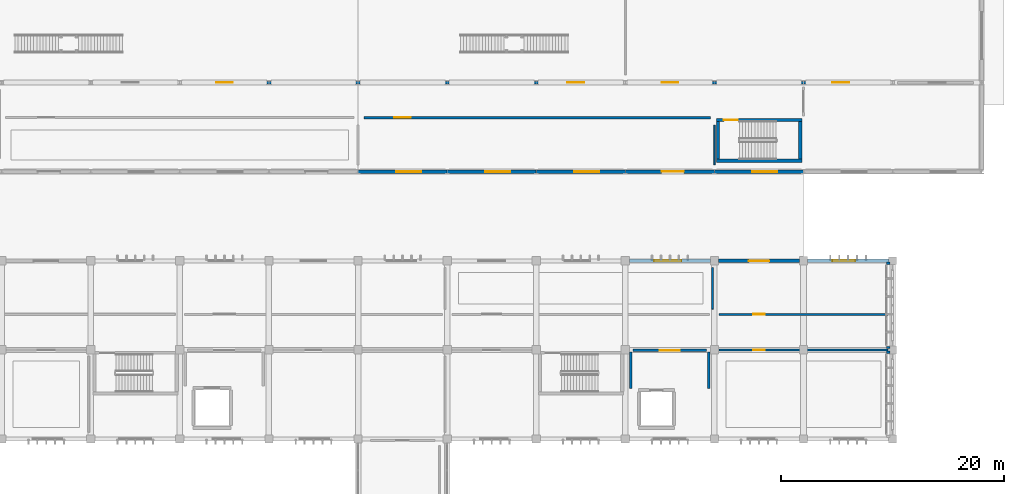
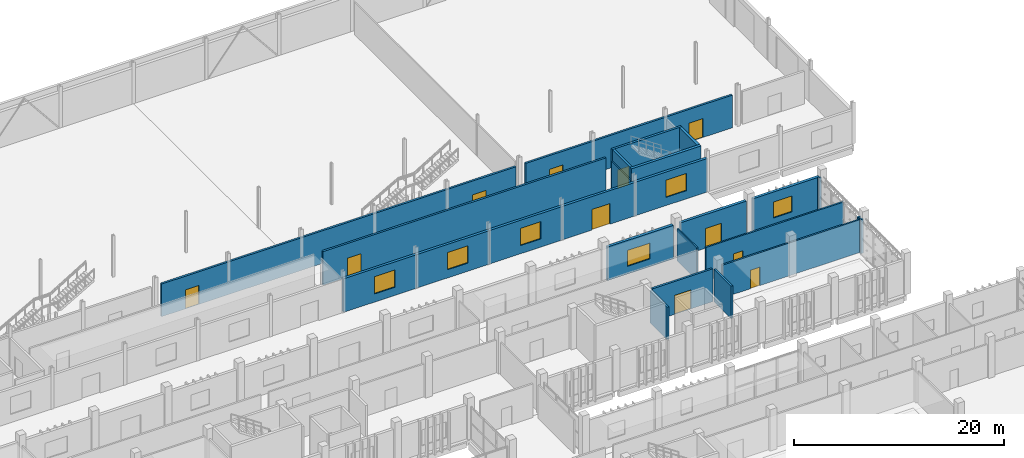
# One storey, part 97 of 117: 25 walls, 11 doors, 6 windows, 17 openings.
"""IFC4 building model written with IfcOpenShell, lengths in metres."""

from ifc_helpers import new_model, si_unit, direction, frame, frame_2d, origin, place, context, subcontext, project, spatial, rectangle, extrude, material, layer, layer_set, type_object, element, fill, save


model = new_model("IFC4")

# Units and contexts
model_context = context("Model", 3, precision=1e-05, world=origin(), true_north=direction((0.0, 1.0)))
body_context = subcontext(model_context, "Body", "Model", "MODEL_VIEW")
ifc_project = project(units=[si_unit("LENGTHUNIT", "METRE"), si_unit("AREAUNIT", "SQUARE_METRE"), si_unit("VOLUMEUNIT", "CUBIC_METRE"), si_unit("PLANEANGLEUNIT", "RADIAN"), si_unit("MASSUNIT", "GRAM", prefix="KILO")], contexts=[model_context])

# Site, building, storey
site_placement = place(None, origin())
site = spatial("IfcSite", under=ifc_project, at=site_placement, CompositionType="ELEMENT")
building_placement = place(site_placement, origin())
building = spatial("IfcBuilding", under=site, at=building_placement, Name="Jelvoka-Kovrelna Polytechnic", CompositionType="ELEMENT")
storey_placement = place(building_placement, origin())
storey = spatial("IfcBuildingStorey", under=building, at=storey_placement, Name="L01", CompositionType="ELEMENT", Elevation=0.0)

# Wall, opening, door
ifc_material_1 = material(Name="Concrete C35/45", Category="concrete")
ifc_layer_1 = layer(ifc_material_1, 0.219970703125)
ifc_layer_set_1 = layer_set([ifc_layer_1], Name="Concrete C35/45")
wall_type_1 = type_object("IfcWallType", Name="Wall_Compartment_220", PredefinedType="PARTITIONING", material=ifc_layer_set_1)
wall_1_placement = place(storey_placement, frame((168.699951171875, 63.949951171875, 0.0), z_axis=(0.0, 0.0, 1.0), x_axis=(1.0, 0.0, 0.0)))
wall_1 = element("IfcWall", 1, at=wall_1_placement, inside=storey, type_object=wall_type_1, Name="L01 interior wall 0339", PredefinedType="PARTITIONING", context=body_context, shape_type="SweptSolid", body=[
    extrude(rectangle(XDim=6.60009765625, YDim=0.219970703125, at=frame_2d((3.300048828125, 0.0))), origin(), (0.0, 0.0, 1.0), 3.81005859375),
])
opening_1_placement = place(wall_1_placement, frame((2.39990234375, 0.0, 0.0)))
opening_1 = element("IfcOpeningElement", 2, at=opening_1_placement, cuts=wall_1, Name="Opening FD-L01-074", PredefinedType="OPENING", context=body_context, shape_type="SweptSolid", body=[
    extrude(rectangle(XDim=1.800048828125, YDim=2.199951171875, at=frame_2d((0.89990234375, 1.10009765625))), frame((0.0, 0.119873046875, 0.0), z_axis=(0.0, -1.0, 0.0), x_axis=(1.0, 0.0, 0.0)), (0.0, 0.0, 1.0), 0.239990234375),
])
ifc_material_2 = material(Name="Paired steel corridor fire door", Category="steel")
door_type_1 = type_object("IfcDoorType", Name="Door_Fire_FD03", OperationType="NOTDEFINED", PredefinedType="DOOR", material=ifc_material_2)
door_1_placement = place(opening_1_placement, origin())
door_1 = element("IfcDoor", 3, at=door_1_placement, inside=storey, type_object=door_type_1, Name="L01 interior door FD-L01-074", OperationType="DOUBLE_DOOR_SINGLE_SWING", OverallHeight=2.199951171875, OverallWidth=1.800048828125, PredefinedType="DOOR", context=body_context, shape_type="SweptSolid", body=[
    extrude(rectangle(XDim=1.800048828125, YDim=2.199951171875, at=frame_2d((0.89990234375, 1.10009765625))), frame((0.0, 0.02490234375, 0.0), z_axis=(0.0, -1.0, 0.0), x_axis=(1.0, 0.0, 0.0)), (0.0, 0.0, 1.0), 0.050048828125),
])
fill(opening_1, door_1)

# Walls
for number, where, z_axis, x_axis, name in (
    (4, (168.5, 60.550048828125, 0.0), (0.0, 0.0, 1.0), (0.0, 1.0, 0.0), "L01 interior wall 0340"),
    (5, (175.5, 60.550048828125, 0.0), (0.0, 0.0, 1.0), (0.0, 1.0, 0.0), "L01 interior wall 0341"),
):
    element("IfcWall", number, at=place(storey_placement, frame(where, z_axis=z_axis, x_axis=x_axis)), inside=storey, type_object=wall_type_1, Name=name, PredefinedType="PARTITIONING", context=body_context, shape_type="SweptSolid", body=[
        extrude(rectangle(XDim=3.25, YDim=0.219970703125, at=frame_2d((1.625, 0.0))), origin(), (0.0, 0.0, 1.0), 3.760009765625),
    ])

# Wall, openings, doors
wall_2_placement = place(storey_placement, frame((128.64990234375, 88.0, 0.0), z_axis=(0.0, 0.0, 1.0), x_axis=(1.0, 0.0, 0.0)))
wall_2 = element("IfcWall", 6, at=wall_2_placement, inside=storey, type_object=wall_type_1, Name="L01 interior wall 0910", PredefinedType="PARTITIONING", context=body_context, shape_type="SweptSolid", body=[
    extrude(rectangle(XDim=38.900146484375, YDim=0.219970703125, at=frame_2d((19.4501953125, 0.0))), origin(), (0.0, 0.0, 1.0), 3.794921875),
])
opening_2_placement = place(wall_2_placement, frame((2.60009765625, 0.0, 0.0)))
opening_2 = element("IfcOpeningElement", 7, at=opening_2_placement, cuts=wall_2, Name="Opening D-L01-196", PredefinedType="OPENING", context=body_context, shape_type="SweptSolid", body=[
    extrude(rectangle(XDim=1.5, YDim=2.199951171875, at=frame_2d((0.75, 1.10009765625))), frame((0.0, 0.119873046875, 0.0), z_axis=(0.0, -1.0, 0.0), x_axis=(1.0, 0.0, 0.0)), (0.0, 0.0, 1.0), 0.239990234375),
])
opening_3_placement = place(wall_2_placement, frame((34.14990234375, 0.0, 0.0)))
opening_3 = element("IfcOpeningElement", 8, at=opening_3_placement, cuts=wall_2, Name="Opening D-L01-197", PredefinedType="OPENING", context=body_context, shape_type="SweptSolid", body=[
    extrude(rectangle(XDim=1.5, YDim=2.199951171875, at=frame_2d((0.75, 1.10009765625))), frame((0.0, 0.119873046875, 0.0), z_axis=(0.0, -1.0, 0.0), x_axis=(1.0, 0.0, 0.0)), (0.0, 0.0, 1.0), 0.239990234375),
])
ifc_material_3 = material(Name="Paired steel stair lobby fire door", Category="steel")
door_type_2 = type_object("IfcDoorType", Name="Door_Fire_FD04", OperationType="NOTDEFINED", PredefinedType="DOOR", material=ifc_material_3)
door_2_placement = place(opening_2_placement, origin())
door_2 = element("IfcDoor", 9, at=door_2_placement, inside=storey, type_object=door_type_2, Name="L01 interior door D-L01-196", OperationType="DOUBLE_DOOR_SINGLE_SWING", OverallHeight=2.199951171875, OverallWidth=1.5, PredefinedType="DOOR", context=body_context, shape_type="SweptSolid", body=[
    extrude(rectangle(XDim=1.5, YDim=2.199951171875, at=frame_2d((0.75, 1.10009765625))), frame((0.0, 0.02490234375, 0.0), z_axis=(0.0, -1.0, 0.0), x_axis=(1.0, 0.0, 0.0)), (0.0, 0.0, 1.0), 0.050048828125),
])
fill(opening_2, door_2)
door_3_placement = place(opening_3_placement, origin())
door_3 = element("IfcDoor", 10, at=door_3_placement, inside=storey, type_object=door_type_2, Name="L01 interior door D-L01-197", OperationType="DOUBLE_DOOR_SINGLE_SWING", OverallHeight=2.199951171875, OverallWidth=1.5, PredefinedType="DOOR", context=body_context, shape_type="SweptSolid", body=[
    extrude(rectangle(XDim=1.5, YDim=2.199951171875, at=frame_2d((0.75, 1.10009765625))), frame((0.0, 0.02490234375, 0.0), z_axis=(0.0, -1.0, 0.0), x_axis=(1.0, 0.0, 0.0)), (0.0, 0.0, 1.0), 0.050048828125),
])
fill(opening_3, door_3)

wall_3_placement = place(storey_placement, frame((168.64990234375, 88.0, 0.0), z_axis=(0.0, 0.0, 1.0), x_axis=(1.0, 0.0, 0.0)))
wall_3 = element("IfcWall", 11, at=wall_3_placement, inside=storey, type_object=wall_type_1, Name="L01 interior wall 0912", PredefinedType="PARTITIONING", context=body_context, shape_type="SweptSolid", body=[
    extrude(rectangle(XDim=22.7001953125, YDim=0.219970703125, at=frame_2d((11.35009765625, 0.0))), origin(), (0.0, 0.0, 1.0), 3.794921875),
])
opening_4_placement = place(wall_3_placement, frame((2.60009765625, 0.0, 0.0)))
opening_4 = element("IfcOpeningElement", 12, at=opening_4_placement, cuts=wall_3, Name="Opening D-L01-198", PredefinedType="OPENING", context=body_context, shape_type="SweptSolid", body=[
    extrude(rectangle(XDim=1.5, YDim=2.199951171875, at=frame_2d((0.75, 1.10009765625))), frame((0.0, 0.119873046875, 0.0), z_axis=(0.0, -1.0, 0.0), x_axis=(1.0, 0.0, 0.0)), (0.0, 0.0, 1.0), 0.239990234375),
])
opening_5_placement = place(wall_3_placement, frame((17.949951171875, 0.0, 0.0)))
opening_5 = element("IfcOpeningElement", 13, at=opening_5_placement, cuts=wall_3, Name="Opening D-L01-199", PredefinedType="OPENING", context=body_context, shape_type="SweptSolid", body=[
    extrude(rectangle(XDim=1.5, YDim=2.199951171875, at=frame_2d((0.75, 1.10009765625))), frame((0.0, 0.119873046875, 0.0), z_axis=(0.0, -1.0, 0.0), x_axis=(1.0, 0.0, 0.0)), (0.0, 0.0, 1.0), 0.239990234375),
])
door_4_placement = place(opening_4_placement, origin())
door_4 = element("IfcDoor", 14, at=door_4_placement, inside=storey, type_object=door_type_2, Name="L01 interior door D-L01-198", OperationType="DOUBLE_DOOR_SINGLE_SWING", OverallHeight=2.199951171875, OverallWidth=1.5, PredefinedType="DOOR", context=body_context, shape_type="SweptSolid", body=[
    extrude(rectangle(XDim=1.5, YDim=2.199951171875, at=frame_2d((0.75, 1.10009765625))), frame((0.0, 0.02490234375, 0.0), z_axis=(0.0, -1.0, 0.0), x_axis=(1.0, 0.0, 0.0)), (0.0, 0.0, 1.0), 0.050048828125),
])
fill(opening_4, door_4)
door_5_placement = place(opening_5_placement, origin())
door_5 = element("IfcDoor", 15, at=door_5_placement, inside=storey, type_object=door_type_2, Name="L01 interior door D-L01-199", OperationType="DOUBLE_DOOR_SINGLE_SWING", OverallHeight=2.199951171875, OverallWidth=1.5, PredefinedType="DOOR", context=body_context, shape_type="SweptSolid", body=[
    extrude(rectangle(XDim=1.5, YDim=2.199951171875, at=frame_2d((0.75, 1.10009765625))), frame((0.0, 0.02490234375, 0.0), z_axis=(0.0, -1.0, 0.0), x_axis=(1.0, 0.0, 0.0)), (0.0, 0.0, 1.0), 0.050048828125),
])
fill(opening_5, door_5)

# Wall, opening, door
wall_4_placement = place(storey_placement, frame((144.550048828125, 84.85009765625, 0.0), z_axis=(0.0, 0.0, 1.0), x_axis=(1.0, 0.0, 0.0)))
wall_4 = element("IfcWall", 16, at=wall_4_placement, inside=storey, type_object=wall_type_1, Name="L01 interior wall 0917", PredefinedType="PARTITIONING", context=body_context, shape_type="SweptSolid", body=[
    extrude(rectangle(XDim=31.099853515625, YDim=0.219970703125, at=frame_2d((15.5498046875, 0.0))), origin(), (0.0, 0.0, 1.0), 3.89990234375),
])
opening_6_placement = place(wall_4_placement, frame((2.699951171875, 0.0, 0.0)))
opening_6 = element("IfcOpeningElement", 17, at=opening_6_placement, cuts=wall_4, Name="Opening D-L01-202", PredefinedType="OPENING", context=body_context, shape_type="SweptSolid", body=[
    extrude(rectangle(XDim=1.5, YDim=2.199951171875, at=frame_2d((0.75, 1.10009765625))), frame((0.0, 0.119873046875, 0.0), z_axis=(0.0, -1.0, 0.0), x_axis=(1.0, 0.0, 0.0)), (0.0, 0.0, 1.0), 0.239990234375),
])
door_6_placement = place(opening_6_placement, origin())
door_6 = element("IfcDoor", 18, at=door_6_placement, inside=storey, type_object=door_type_2, Name="L01 interior door D-L01-202", OperationType="DOUBLE_DOOR_SINGLE_SWING", OverallHeight=2.199951171875, OverallWidth=1.5, PredefinedType="DOOR", context=body_context, shape_type="SweptSolid", body=[
    extrude(rectangle(XDim=1.5, YDim=2.199951171875, at=frame_2d((0.75, 1.10009765625))), frame((0.0, 0.02490234375, 0.0), z_axis=(0.0, -1.0, 0.0), x_axis=(1.0, 0.0, 0.0)), (0.0, 0.0, 1.0), 0.050048828125),
])
fill(opening_6, door_6)

ifc_material_4 = material(Name="Concrete C40/50", Category="concrete")
ifc_layer_2 = layer(ifc_material_4, 0.25)
ifc_layer_set_2 = layer_set([ifc_layer_2], Name="Concrete C40/50")
wall_type_2 = type_object("IfcWallType", Name="Wall_Core_250", PredefinedType="SOLIDWALL", material=ifc_layer_set_2)
wall_5_placement = place(storey_placement, frame((176.199951171875, 84.639892578125, 0.0), z_axis=(0.0, 0.0, 1.0), x_axis=(1.0, 0.0, 0.0)))
wall_5 = element("IfcWall", 19, at=wall_5_placement, inside=storey, type_object=wall_type_2, Name="L01 interior wall 0011", PredefinedType="SOLIDWALL", context=body_context, shape_type="SweptSolid", body=[
    extrude(rectangle(XDim=7.650146484375, YDim=0.25, at=frame_2d((3.8251953125, 0.0))), origin(), (0.0, 0.0, 1.0), 4.800048828125),
])
opening_7_placement = place(wall_5_placement, frame((0.64990234375, 0.0, 0.0)))
opening_7 = element("IfcOpeningElement", 20, at=opening_7_placement, cuts=wall_5, Name="Opening SD-L01-003", PredefinedType="OPENING", context=body_context, shape_type="SweptSolid", body=[
    extrude(rectangle(XDim=1.25, YDim=2.14990234375, at=frame_2d((0.625, 1.074951171875))), frame((0.0, 0.135009765625, 0.0), z_axis=(0.0, -1.0, 0.0), x_axis=(1.0, 0.0, 0.0)), (0.0, 0.0, 1.0), 0.27001953125),
])
ifc_material_5 = material(Name="Powder-coated steel fire door", Category="steel")
door_type_3 = type_object("IfcDoorType", Name="Door_Fire_FD02", OperationType="NOTDEFINED", PredefinedType="DOOR", material=ifc_material_5)
door_7_placement = place(opening_7_placement, origin())
door_7 = element("IfcDoor", 21, at=door_7_placement, inside=storey, type_object=door_type_3, Name="L01 interior door SD-L01-003", OperationType="SINGLE_SWING_LEFT", OverallHeight=2.14990234375, OverallWidth=1.25, PredefinedType="DOOR", context=body_context, shape_type="SweptSolid", body=[
    extrude(rectangle(XDim=1.25, YDim=2.14990234375, at=frame_2d((0.625, 1.074951171875))), frame((0.0, 0.02490234375, 0.0), z_axis=(0.0, -1.0, 0.0), x_axis=(1.0, 0.0, 0.0)), (0.0, 0.0, 1.0), 0.050048828125),
])
fill(opening_7, door_7)

# Wall
wall_6_placement = place(storey_placement, frame((176.324951171875, 81.14990234375, 0.0), z_axis=(0.0, 0.0, 1.0), x_axis=(0.0, 1.0, 0.0)))
element("IfcWall", 22, at=wall_6_placement, inside=storey, type_object=wall_type_2, Name="L01 interior wall 0012", PredefinedType="SOLIDWALL", context=body_context, shape_type="SweptSolid", body=[
    extrude(rectangle(XDim=3.360107421875, YDim=0.25, at=frame_2d((1.68017578125, 0.0))), origin(), (0.0, 0.0, 1.0), 4.800048828125),
])

# Wall, opening, door
ifc_material_6 = material(Name="Autoclaved aerated concrete blockwork", Category="masonry")
ifc_layer_3 = layer(ifc_material_6, 0.179931640625)
ifc_layer_set_3 = layer_set([ifc_layer_3], Name="Autoclaved aerated concrete blockwork")
wall_type_3 = type_object("IfcWallType", Name="Wall_Corridor_180", PredefinedType="PARTITIONING", material=ifc_layer_set_3)
wall_7_placement = place(storey_placement, frame((176.429931640625, 64.0, 0.0), z_axis=(0.0, 0.0, 1.0), x_axis=(1.0, 0.0, 0.0)))
wall_7 = element("IfcWall", 23, at=wall_7_placement, inside=storey, type_object=wall_type_3, Name="L01 interior wall 0891", PredefinedType="PARTITIONING", context=body_context, shape_type="SweptSolid", body=[
    extrude(rectangle(XDim=15.14013671875, YDim=0.179931640625, at=frame_2d((7.570068359375, 0.0))), origin(), (0.0, 0.0, 1.0), 3.81005859375),
])
opening_8_placement = place(wall_7_placement, frame((3.044921875, 0.0, 0.0)))
opening_8 = element("IfcOpeningElement", 24, at=opening_8_placement, cuts=wall_7, Name="Opening D-L01-183", PredefinedType="OPENING", context=body_context, shape_type="SweptSolid", body=[
    extrude(rectangle(XDim=1.050048828125, YDim=2.14990234375, at=frame_2d((0.52490234375, 1.074951171875))), frame((0.0, 0.099853515625, 0.0), z_axis=(0.0, -1.0, 0.0), x_axis=(1.0, 0.0, 0.0)), (0.0, 0.0, 1.0), 0.199951171875),
])
ifc_material_7 = material(Name="Hardwood fire-resisting laboratory door", Category="wood")
door_type_4 = type_object("IfcDoorType", Name="Door_Fire_FD30_02", OperationType="NOTDEFINED", PredefinedType="DOOR", material=ifc_material_7)
door_8_placement = place(opening_8_placement, origin())
door_8 = element("IfcDoor", 25, at=door_8_placement, inside=storey, type_object=door_type_4, Name="L01 interior door D-L01-183", OperationType="SINGLE_SWING_LEFT", OverallHeight=2.14990234375, OverallWidth=1.050048828125, PredefinedType="DOOR", context=body_context, shape_type="SweptSolid", body=[
    extrude(rectangle(XDim=1.050048828125, YDim=2.14990234375, at=frame_2d((0.52490234375, 1.074951171875))), frame((0.0, 0.02490234375, 0.0), z_axis=(0.0, -1.0, 0.0), x_axis=(1.0, 0.0, 0.0)), (0.0, 0.0, 1.0), 0.050048828125),
])
fill(opening_8, door_8)

wall_8_placement = place(storey_placement, frame((176.429931640625, 67.199951171875, 0.0), z_axis=(0.0, 0.0, 1.0), x_axis=(1.0, 0.0, 0.0)))
wall_8 = element("IfcWall", 26, at=wall_8_placement, inside=storey, type_object=wall_type_3, Name="L01 interior wall 0900", PredefinedType="PARTITIONING", context=body_context, shape_type="SweptSolid", body=[
    extrude(rectangle(XDim=15.14013671875, YDim=0.179931640625, at=frame_2d((7.570068359375, 0.0))), origin(), (0.0, 0.0, 1.0), 3.89990234375),
])
opening_9_placement = place(wall_8_placement, frame((3.06005859375, 0.0, 0.0)))
opening_9 = element("IfcOpeningElement", 27, at=opening_9_placement, cuts=wall_8, Name="Opening D-L01-189", PredefinedType="OPENING", context=body_context, shape_type="SweptSolid", body=[
    extrude(rectangle(XDim=1.02001953125, YDim=2.10009765625, at=frame_2d((0.510009765625, 1.050048828125))), frame((0.0, 0.099853515625, 0.0), z_axis=(0.0, -1.0, 0.0), x_axis=(1.0, 0.0, 0.0)), (0.0, 0.0, 1.0), 0.199951171875),
])
ifc_material_8 = material(Name="Hardwood solid-core door", Category="wood")
door_type_5 = type_object("IfcDoorType", Name="Door_Int_D04", OperationType="NOTDEFINED", PredefinedType="DOOR", material=ifc_material_8)
door_9_placement = place(opening_9_placement, origin())
door_9 = element("IfcDoor", 28, at=door_9_placement, inside=storey, type_object=door_type_5, Name="L01 interior door D-L01-189", OperationType="SINGLE_SWING_RIGHT", OverallHeight=2.10009765625, OverallWidth=1.02001953125, PredefinedType="DOOR", context=body_context, shape_type="SweptSolid", body=[
    extrude(rectangle(XDim=1.02001953125, YDim=2.10009765625, at=frame_2d((0.510009765625, 1.050048828125))), frame((0.0, 0.02490234375, 0.0), z_axis=(0.0, -1.0, 0.0), x_axis=(1.0, 0.0, 0.0)), (0.0, 0.0, 1.0), 0.050048828125),
])
fill(opening_9, door_9)

# Wall, opening, window
ifc_material_9 = material(Name="Precast concrete C40/50", Category="concrete")
ifc_layer_4 = layer(ifc_material_9, 0.280029296875)
ifc_layer_set_4 = layer_set([ifc_layer_4], Name="Precast concrete C40/50")
wall_type_4 = type_object("IfcWallType", Name="Wall_Ext_White_280", PredefinedType="STANDARD", material=ifc_layer_set_4)
wall_9_placement = place(storey_placement, frame((151.99609375, 80.0, 0.0), z_axis=(0.0, 0.0, 1.0), x_axis=(-1.0, 0.0, 0.0)))
wall_9 = element("IfcWall", 29, at=wall_9_placement, inside=storey, type_object=wall_type_4, Name="L01 exterior wall 0893", PredefinedType="STANDARD", context=body_context, shape_type="SweptSolid", body=[
    extrude(rectangle(XDim=7.9921875, YDim=0.280029296875, at=frame_2d((3.99609375, 0.0))), origin(), (0.0, 0.0, 1.0), 3.89501953125),
])
opening_10_placement = place(wall_9_placement, frame((2.3359375, 0.0, 0.949951171875)))
opening_10 = element("IfcOpeningElement", 30, at=opening_10_placement, cuts=wall_9, Name="Opening W-L01-509", PredefinedType="OPENING", context=body_context, shape_type="SweptSolid", body=[
    extrude(rectangle(XDim=2.25, YDim=2.0, at=frame_2d((1.125, 1.0))), frame((0.0, 0.150146484375, 0.0), z_axis=(0.0, -1.0, 0.0), x_axis=(1.0, 0.0, 0.0)), (0.0, 0.0, 1.0), 0.300048828125),
])
ifc_material_10 = material(Name="Thermally broken anodised aluminium and low-e glazing", Category="aluminium")
window_type_1 = type_object("IfcWindowType", Name="Win_Casement_W57", PartitioningType="DOUBLE_PANEL_VERTICAL", PredefinedType="WINDOW", material=ifc_material_10)
window_1_placement = place(opening_10_placement, origin())
window_1 = element("IfcWindow", 31, at=window_1_placement, inside=storey, type_object=window_type_1, Name="L01 aluminium casement window W-L01-509", OverallHeight=2.0, OverallWidth=2.25, PartitioningType="DOUBLE_PANEL_VERTICAL", PredefinedType="WINDOW", context=body_context, shape_type="SweptSolid", body=[
    extrude(rectangle(XDim=2.25, YDim=2.0, at=frame_2d((1.125, 1.0))), frame((0.0, 0.030029296875, 0.0), z_axis=(0.0, -1.0, 0.0), x_axis=(1.0, 0.0, 0.0)), (0.0, 0.0, 1.0), 0.06005859375),
])
fill(opening_10, window_1)

wall_10_placement = place(storey_placement, frame((159.99609375, 80.0, 0.0), z_axis=(0.0, 0.0, 1.0), x_axis=(-1.0, 0.0, 0.0)))
wall_10 = element("IfcWall", 32, at=wall_10_placement, inside=storey, type_object=wall_type_4, Name="L01 exterior wall 0894", PredefinedType="STANDARD", context=body_context, shape_type="SweptSolid", body=[
    extrude(rectangle(XDim=7.9921875, YDim=0.280029296875, at=frame_2d((3.99609375, 0.0))), origin(), (0.0, 0.0, 1.0), 3.89501953125),
])
opening_11_placement = place(wall_10_placement, frame((2.3359375, 0.0, 0.949951171875)))
opening_11 = element("IfcOpeningElement", 33, at=opening_11_placement, cuts=wall_10, Name="Opening W-L01-510", PredefinedType="OPENING", context=body_context, shape_type="SweptSolid", body=[
    extrude(rectangle(XDim=2.25, YDim=2.0, at=frame_2d((1.125, 1.0))), frame((0.0, 0.150146484375, 0.0), z_axis=(0.0, -1.0, 0.0), x_axis=(1.0, 0.0, 0.0)), (0.0, 0.0, 1.0), 0.300048828125),
])
window_2_placement = place(opening_11_placement, origin())
window_2 = element("IfcWindow", 34, at=window_2_placement, inside=storey, type_object=window_type_1, Name="L01 aluminium casement window W-L01-510", OverallHeight=2.0, OverallWidth=2.25, PartitioningType="DOUBLE_PANEL_VERTICAL", PredefinedType="WINDOW", context=body_context, shape_type="SweptSolid", body=[
    extrude(rectangle(XDim=2.25, YDim=2.0, at=frame_2d((1.125, 1.0))), frame((0.0, 0.030029296875, 0.0), z_axis=(0.0, -1.0, 0.0), x_axis=(1.0, 0.0, 0.0)), (0.0, 0.0, 1.0), 0.06005859375),
])
fill(opening_11, window_2)

wall_11_placement = place(storey_placement, frame((167.99609375, 80.0, 0.0), z_axis=(0.0, 0.0, 1.0), x_axis=(-1.0, 0.0, 0.0)))
wall_11 = element("IfcWall", 35, at=wall_11_placement, inside=storey, type_object=wall_type_4, Name="L01 exterior wall 0895", PredefinedType="STANDARD", context=body_context, shape_type="SweptSolid", body=[
    extrude(rectangle(XDim=7.9921875, YDim=0.280029296875, at=frame_2d((3.99609375, 0.0))), origin(), (0.0, 0.0, 1.0), 3.89501953125),
])
opening_12_placement = place(wall_11_placement, frame((2.3359375, 0.0, 0.949951171875)))
opening_12 = element("IfcOpeningElement", 36, at=opening_12_placement, cuts=wall_11, Name="Opening W-L01-511", PredefinedType="OPENING", context=body_context, shape_type="SweptSolid", body=[
    extrude(rectangle(XDim=2.25, YDim=2.0, at=frame_2d((1.125, 1.0))), frame((0.0, 0.150146484375, 0.0), z_axis=(0.0, -1.0, 0.0), x_axis=(1.0, 0.0, 0.0)), (0.0, 0.0, 1.0), 0.300048828125),
])
window_3_placement = place(opening_12_placement, origin())
window_3 = element("IfcWindow", 37, at=window_3_placement, inside=storey, type_object=window_type_1, Name="L01 aluminium casement window W-L01-511", OverallHeight=2.0, OverallWidth=2.25, PartitioningType="DOUBLE_PANEL_VERTICAL", PredefinedType="WINDOW", context=body_context, shape_type="SweptSolid", body=[
    extrude(rectangle(XDim=2.25, YDim=2.0, at=frame_2d((1.125, 1.0))), frame((0.0, 0.030029296875, 0.0), z_axis=(0.0, -1.0, 0.0), x_axis=(1.0, 0.0, 0.0)), (0.0, 0.0, 1.0), 0.06005859375),
])
fill(opening_12, window_3)

# Wall, opening, door
wall_12_placement = place(storey_placement, frame((175.99609375, 80.0, 0.0), z_axis=(0.0, 0.0, 1.0), x_axis=(-1.0, 0.0, 0.0)))
wall_12 = element("IfcWall", 38, at=wall_12_placement, inside=storey, type_object=wall_type_4, Name="L01 exterior wall 0896", PredefinedType="STANDARD", context=body_context, shape_type="SweptSolid", body=[
    extrude(rectangle(XDim=7.9921875, YDim=0.280029296875, at=frame_2d((3.99609375, 0.0))), origin(), (0.0, 0.0, 1.0), 3.89501953125),
])
opening_13_placement = place(wall_12_placement, frame((2.736083984375, 0.0, 0.0)))
opening_13 = element("IfcOpeningElement", 39, at=opening_13_placement, cuts=wall_12, Name="Opening E-L01-029", PredefinedType="OPENING", context=body_context, shape_type="SweptSolid", body=[
    extrude(rectangle(XDim=2.0, YDim=2.39990234375, at=frame_2d((1.0, 1.199951171875))), frame((0.0, 0.150146484375, 0.0), z_axis=(0.0, -1.0, 0.0), x_axis=(1.0, 0.0, 0.0)), (0.0, 0.0, 1.0), 0.300048828125),
])
ifc_material_11 = material(Name="Powder-coated aluminium and laminated safety glass", Category="aluminium")
door_type_6 = type_object("IfcDoorType", Name="Door_Ext_Exit_2000x2400", OperationType="NOTDEFINED", PredefinedType="DOOR", material=ifc_material_11)
door_10_placement = place(opening_13_placement, origin())
door_10 = element("IfcDoor", 40, at=door_10_placement, inside=storey, type_object=door_type_6, Name="L01 exterior door E-L01-029", OperationType="DOUBLE_DOOR_SINGLE_SWING", OverallHeight=2.39990234375, OverallWidth=2.0, PredefinedType="DOOR", context=body_context, shape_type="SweptSolid", body=[
    extrude(rectangle(XDim=2.0, YDim=2.39990234375, at=frame_2d((1.0, 1.199951171875))), frame((0.0, 0.02490234375, 0.0), z_axis=(0.0, -1.0, 0.0), x_axis=(1.0, 0.0, 0.0)), (0.0, 0.0, 1.0), 0.050048828125),
])
fill(opening_13, door_10)

# Wall, opening, window
wall_13_placement = place(storey_placement, frame((183.99609375, 80.0, 0.0), z_axis=(0.0, 0.0, 1.0), x_axis=(-1.0, 0.0, 0.0)))
wall_13 = element("IfcWall", 41, at=wall_13_placement, inside=storey, type_object=wall_type_4, Name="L01 exterior wall 0897", PredefinedType="STANDARD", context=body_context, shape_type="SweptSolid", body=[
    extrude(rectangle(XDim=7.9921875, YDim=0.280029296875, at=frame_2d((3.99609375, 0.0))), origin(), (0.0, 0.0, 1.0), 3.89501953125),
])
opening_14_placement = place(wall_13_placement, frame((2.3359375, 0.0, 0.949951171875)))
opening_14 = element("IfcOpeningElement", 42, at=opening_14_placement, cuts=wall_13, Name="Opening W-L01-512", PredefinedType="OPENING", context=body_context, shape_type="SweptSolid", body=[
    extrude(rectangle(XDim=2.25, YDim=2.0, at=frame_2d((1.125, 1.0))), frame((0.0, 0.150146484375, 0.0), z_axis=(0.0, -1.0, 0.0), x_axis=(1.0, 0.0, 0.0)), (0.0, 0.0, 1.0), 0.300048828125),
])
window_4_placement = place(opening_14_placement, origin())
window_4 = element("IfcWindow", 43, at=window_4_placement, inside=storey, type_object=window_type_1, Name="L01 aluminium casement window W-L01-512", OverallHeight=2.0, OverallWidth=2.25, PartitioningType="DOUBLE_PANEL_VERTICAL", PredefinedType="WINDOW", context=body_context, shape_type="SweptSolid", body=[
    extrude(rectangle(XDim=2.25, YDim=2.0, at=frame_2d((1.125, 1.0))), frame((0.0, 0.030029296875, 0.0), z_axis=(0.0, -1.0, 0.0), x_axis=(1.0, 0.0, 0.0)), (0.0, 0.0, 1.0), 0.06005859375),
])
fill(opening_14, window_4)

ifc_material_12 = material(Name="Precast concrete C40/50", Category="concrete")
ifc_layer_5 = layer(ifc_material_12, 0.300048828125)
ifc_layer_set_5 = layer_set([ifc_layer_5], Name="Precast concrete C40/50")
wall_type_5 = type_object("IfcWallType", Name="Wall_Ext_White_300", PredefinedType="STANDARD", material=ifc_layer_set_5)
wall_14_placement = place(storey_placement, frame((168.3720703125, 72.0, 0.0), z_axis=(0.0, 0.0, 1.0), x_axis=(1.0, 0.0, 0.0)))
wall_14 = element("IfcWall", 44, at=wall_14_placement, inside=storey, type_object=wall_type_5, Name="L01 exterior wall 0598", PredefinedType="STANDARD", context=body_context, shape_type="SweptSolid", body=[
    extrude(rectangle(XDim=7.255859375, YDim=0.300048828125, at=frame_2d((3.6279296875, 0.0))), origin(), (0.0, 0.0, 1.0), 3.909912109375),
])
opening_15_placement = place(wall_14_placement, frame((2.2080078125, 0.0, 0.89990234375)))
opening_15 = element("IfcOpeningElement", 45, at=opening_15_placement, cuts=wall_14, Name="Opening W-L01-277", PredefinedType="OPENING", context=body_context, shape_type="SweptSolid", body=[
    extrude(rectangle(XDim=2.449951171875, YDim=1.85009765625, at=frame_2d((1.22509765625, 0.925048828125))), frame((0.0, 0.159912109375, 0.0), z_axis=(0.0, -1.0, 0.0), x_axis=(1.0, 0.0, 0.0)), (0.0, 0.0, 1.0), 0.320068359375),
])
ifc_material_13 = material(Name="Thermally broken anodised aluminium and low-e glazing", Category="aluminium")
window_type_2 = type_object("IfcWindowType", Name="Win_Casement_W48", PartitioningType="DOUBLE_PANEL_VERTICAL", PredefinedType="WINDOW", material=ifc_material_13)
window_5_placement = place(opening_15_placement, origin())
window_5 = element("IfcWindow", 46, at=window_5_placement, inside=storey, type_object=window_type_2, Name="L01 aluminium casement window W-L01-277", OverallHeight=1.85009765625, OverallWidth=2.449951171875, PartitioningType="DOUBLE_PANEL_VERTICAL", PredefinedType="WINDOW", context=body_context, shape_type="SweptSolid", body=[
    extrude(rectangle(XDim=2.449951171875, YDim=1.85009765625, at=frame_2d((1.22509765625, 0.925048828125))), frame((0.0, 0.030029296875, 0.0), z_axis=(0.0, -1.0, 0.0), x_axis=(1.0, 0.0, 0.0)), (0.0, 0.0, 1.0), 0.06005859375),
])
fill(opening_15, window_5)

# Wall, opening, door
wall_15_placement = place(storey_placement, frame((176.3720703125, 72.0, 0.0), z_axis=(0.0, 0.0, 1.0), x_axis=(1.0, 0.0, 0.0)))
wall_15 = element("IfcWall", 47, at=wall_15_placement, inside=storey, type_object=wall_type_5, Name="L01 exterior wall 0600", PredefinedType="STANDARD", context=body_context, shape_type="SweptSolid", body=[
    extrude(rectangle(XDim=7.255859375, YDim=0.300048828125, at=frame_2d((3.6279296875, 0.0))), origin(), (0.0, 0.0, 1.0), 3.909912109375),
])
opening_16_placement = place(wall_15_placement, frame((2.72802734375, 0.0, 0.0)))
opening_16 = element("IfcOpeningElement", 48, at=opening_16_placement, cuts=wall_15, Name="Opening E-L01-015", PredefinedType="OPENING", context=body_context, shape_type="SweptSolid", body=[
    extrude(rectangle(XDim=1.800048828125, YDim=2.300048828125, at=frame_2d((0.89990234375, 1.14990234375))), frame((0.0, 0.159912109375, 0.0), z_axis=(0.0, -1.0, 0.0), x_axis=(1.0, 0.0, 0.0)), (0.0, 0.0, 1.0), 0.320068359375),
])
ifc_material_14 = material(Name="Powder-coated aluminium and laminated safety glass", Category="aluminium")
door_type_7 = type_object("IfcDoorType", Name="Door_Ext_Exit_1800x2300", OperationType="NOTDEFINED", PredefinedType="DOOR", material=ifc_material_14)
door_11_placement = place(opening_16_placement, origin())
door_11 = element("IfcDoor", 49, at=door_11_placement, inside=storey, type_object=door_type_7, Name="L01 exterior door E-L01-015", OperationType="DOUBLE_DOOR_SINGLE_SWING", OverallHeight=2.300048828125, OverallWidth=1.800048828125, PredefinedType="DOOR", context=body_context, shape_type="SweptSolid", body=[
    extrude(rectangle(XDim=1.800048828125, YDim=2.300048828125, at=frame_2d((0.89990234375, 1.14990234375))), frame((0.0, 0.02490234375, 0.0), z_axis=(0.0, -1.0, 0.0), x_axis=(1.0, 0.0, 0.0)), (0.0, 0.0, 1.0), 0.050048828125),
])
fill(opening_16, door_11)

# Wall, opening, window
wall_16_placement = place(storey_placement, frame((184.3720703125, 72.0, 0.0), z_axis=(0.0, 0.0, 1.0), x_axis=(1.0, 0.0, 0.0)))
wall_16 = element("IfcWall", 50, at=wall_16_placement, inside=storey, type_object=wall_type_5, Name="L01 exterior wall 0602", PredefinedType="STANDARD", context=body_context, shape_type="SweptSolid", body=[
    extrude(rectangle(XDim=7.281005859375, YDim=0.300048828125, at=frame_2d((3.640625, 0.0))), origin(), (0.0, 0.0, 1.0), 3.909912109375),
])
opening_17_placement = place(wall_16_placement, frame((2.2080078125, 0.0, 0.89990234375)))
opening_17 = element("IfcOpeningElement", 51, at=opening_17_placement, cuts=wall_16, Name="Opening W-L01-280", PredefinedType="OPENING", context=body_context, shape_type="SweptSolid", body=[
    extrude(rectangle(XDim=2.050048828125, YDim=1.85009765625, at=frame_2d((1.02490234375, 0.925048828125))), frame((0.0, 0.159912109375, 0.0), z_axis=(0.0, -1.0, 0.0), x_axis=(1.0, 0.0, 0.0)), (0.0, 0.0, 1.0), 0.320068359375),
])
ifc_material_15 = material(Name="Thermally broken anodised aluminium and low-e glazing", Category="aluminium")
window_type_3 = type_object("IfcWindowType", Name="Win_Casement_W46", PartitioningType="DOUBLE_PANEL_VERTICAL", PredefinedType="WINDOW", material=ifc_material_15)
window_6_placement = place(opening_17_placement, origin())
window_6 = element("IfcWindow", 52, at=window_6_placement, inside=storey, type_object=window_type_3, Name="L01 aluminium casement window W-L01-280", OverallHeight=1.85009765625, OverallWidth=2.050048828125, PartitioningType="DOUBLE_PANEL_VERTICAL", PredefinedType="WINDOW", context=body_context, shape_type="SweptSolid", body=[
    extrude(rectangle(XDim=2.050048828125, YDim=1.85009765625, at=frame_2d((1.02490234375, 0.925048828125))), frame((0.0, 0.030029296875, 0.0), z_axis=(0.0, -1.0, 0.0), x_axis=(1.0, 0.0, 0.0)), (0.0, 0.0, 1.0), 0.06005859375),
])
fill(opening_17, window_6)

# Walls
ifc_material_16 = material(Name="Precast concrete C40/50", Category="concrete")
ifc_layer_6 = layer(ifc_material_16, 0.199951171875)
ifc_layer_set_6 = layer_set([ifc_layer_6], Name="Precast concrete C40/50")
wall_type_6 = type_object("IfcWallType", Name="Wall_Parapet_200", PredefinedType="PARAPET", material=ifc_layer_set_6)
for number, where, z_axis, x_axis, name in (
    (53, (191.760009765625, 63.780029296875, 0.0), (0.0, 0.0, 1.0), (-1.0, 0.0, 0.0), "L01 exterior wall 0604"),
    (54, (191.760009765625, 64.219970703125, 0.0), (0.0, 0.0, 1.0), (-1.0, 0.0, 0.0), "L01 exterior wall 0605"),
    (55, (191.760009765625, 71.780029296875, 0.0), (0.0, 0.0, 1.0), (-1.0, 0.0, 0.0), "L01 exterior wall 0606"),
):
    element("IfcWall", number, at=place(storey_placement, frame(where, z_axis=z_axis, x_axis=x_axis)), inside=storey, type_object=wall_type_6, Name=name, PredefinedType="PARAPET", context=body_context, shape_type="SweptSolid", body=[
        extrude(rectangle(XDim=0.320068359375, YDim=0.199951171875, at=frame_2d((0.16015625, 0.0))), origin(), (0.0, 0.0, 1.0), 3.949951171875),
    ])
ifc_material_17 = material(Name="Acoustic gypsum stud partition")
ifc_layer_7 = layer(ifc_material_17, 0.125)
ifc_layer_set_7 = layer_set([ifc_layer_7], Name="Acoustic gypsum stud partition")
wall_type_7 = type_object("IfcWallType", Name="Wall_Partition_125", PredefinedType="PARTITIONING", material=ifc_layer_set_7)
wall_17_placement = place(storey_placement, frame((176.0, 80.6201171875, 0.0), z_axis=(0.0, 0.0, 1.0), x_axis=(0.0, 1.0, 0.0)))
element("IfcWall", 56, at=wall_17_placement, inside=storey, type_object=wall_type_7, Name="L01 interior wall 0918", PredefinedType="PARTITIONING", context=body_context, shape_type="SweptSolid", body=[
    extrude(rectangle(XDim=3.559814453125, YDim=0.125, at=frame_2d((1.77978515625, 0.0))), origin(), (0.0, 0.0, 1.0), 3.7451171875),
])
ifc_material_18 = material(Name="Autoclaved aerated concrete blockwork", Category="masonry")
ifc_layer_8 = layer(ifc_material_18, 0.14990234375)
ifc_layer_set_8 = layer_set([ifc_layer_8], Name="Autoclaved aerated concrete blockwork")
wall_type_8 = type_object("IfcWallType", Name="Wall_Partition_150", PredefinedType="PARTITIONING", material=ifc_layer_set_8)
wall_18_placement = place(storey_placement, frame((175.820068359375, 67.669921875, 0.0), z_axis=(0.0, 0.0, 1.0), x_axis=(0.0, 1.0, 0.0)))
element("IfcWall", 57, at=wall_18_placement, inside=storey, type_object=wall_type_8, Name="L01 interior wall 0899", PredefinedType="PARTITIONING", context=body_context, shape_type="SweptSolid", body=[
    extrude(rectangle(XDim=3.7099609375, YDim=0.14990234375, at=frame_2d((1.85498046875, 0.0))), origin(), (0.0, 0.0, 1.0), 3.760009765625),
])
ifc_material_19 = material(Name="Concrete C40/50", Category="concrete")
ifc_layer_9 = layer(ifc_material_19, 0.300048828125)
ifc_layer_set_9 = layer_set([ifc_layer_9], Name="Concrete C40/50")
wall_type_9 = type_object("IfcWallType", Name="Wall_Shear_300", PredefinedType="SHEAR", material=ifc_layer_set_9)
wall_19_placement = place(storey_placement, frame((176.199951171875, 80.989990234375, 0.0), z_axis=(0.0, 0.0, 1.0), x_axis=(1.0, 0.0, 0.0)))
element("IfcWall", 58, at=wall_19_placement, inside=storey, type_object=wall_type_9, Name="L01 interior wall 0009", PredefinedType="SHEAR", context=body_context, shape_type="SweptSolid", body=[
    extrude(rectangle(XDim=7.650146484375, YDim=0.300048828125, at=frame_2d((3.8251953125, 0.0))), origin(), (0.0, 0.0, 1.0), 4.800048828125),
])
wall_20_placement = place(storey_placement, frame((183.7099609375, 81.14990234375, 0.0), z_axis=(0.0, 0.0, 1.0), x_axis=(0.0, 1.0, 0.0)))
element("IfcWall", 59, at=wall_20_placement, inside=storey, type_object=wall_type_9, Name="L01 interior wall 0010", PredefinedType="SHEAR", context=body_context, shape_type="SweptSolid", body=[
    extrude(rectangle(XDim=3.360107421875, YDim=0.300048828125, at=frame_2d((1.68017578125, 0.0))), origin(), (0.0, 0.0, 1.0), 4.800048828125),
])

save(model, "model.ifc")
